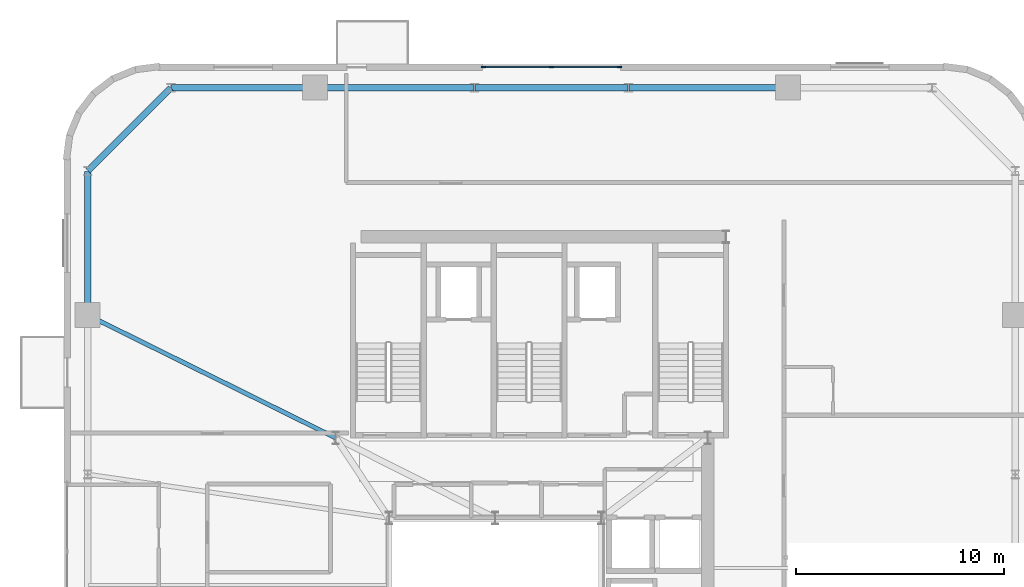
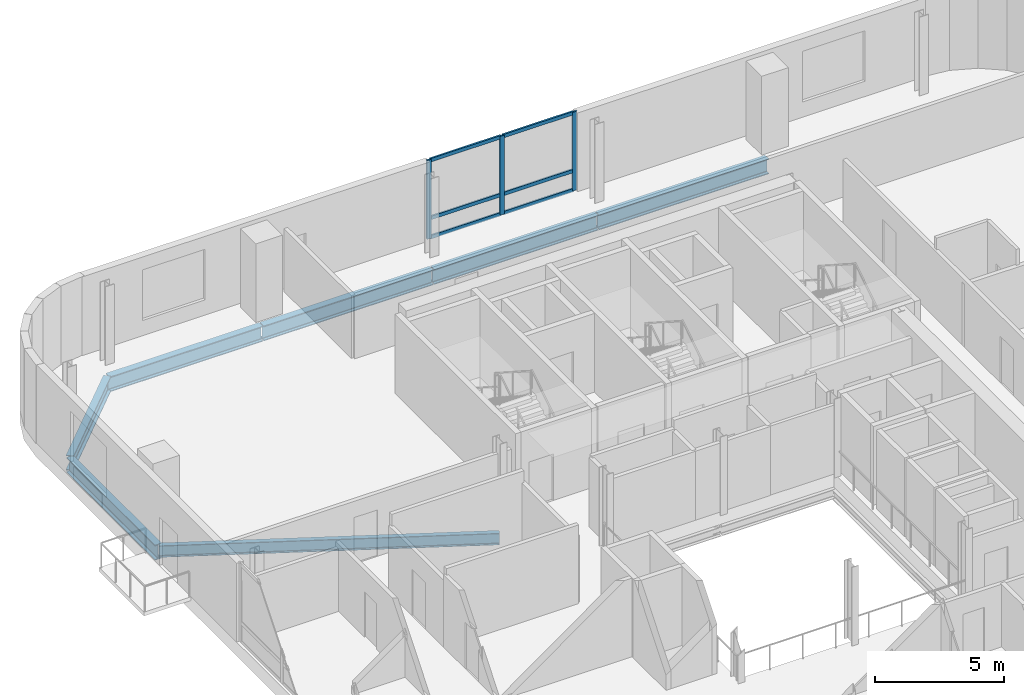
# One storey, part 6 of 15: 9 members, 7 beams, 1 element without a shape of its own.
"""IFC4 building model written with IfcOpenShell, lengths in metres."""

from ifc_helpers import new_model, si_unit, direction, frame, origin, origin_2d, place, context, subcontext, project, spatial, rectangle, i_section, extrude, source, transform, mapped, material, material_profile, profile_set, type_object, element, aggregate, save


model = new_model("IFC4")

# Units and contexts
model_context = context("Model", 3, precision=1e-05, world=origin(), true_north=direction((0.0, 1.0)))
body_context = subcontext(model_context, "Body", "Model", "MODEL_VIEW")
ifc_project = project(units=[si_unit("LENGTHUNIT", "METRE"), si_unit("AREAUNIT", "SQUARE_METRE"), si_unit("VOLUMEUNIT", "CUBIC_METRE"), si_unit("PLANEANGLEUNIT", "RADIAN"), si_unit("MASSUNIT", "GRAM", prefix="KILO")], contexts=[model_context])

# Site, building, storey
site_placement = place(None, origin())
site = spatial("IfcSite", under=ifc_project, at=site_placement, CompositionType="ELEMENT")
building_placement = place(site_placement, origin())
building = spatial("IfcBuilding", under=site, at=building_placement, Name="Vardaveli Station Tower", CompositionType="ELEMENT")
storey_placement = place(building_placement, frame((0.0, 0.0, 242.699951171875)))
storey = spatial("IfcBuildingStorey", under=building, at=storey_placement, Name="L62", CompositionType="ELEMENT", Elevation=242.699951171875)

# Beams
ifc_material_1 = material(Name="Structural steel S460M", Category="steel")
ifc_material_profile_1 = material_profile(ifc_material_1, i_section(OverallWidth=0.303955078125, OverallDepth=0.716064453125, WebThickness=0.02099609375, FlangeThickness=0.0400390625, FilletRadius=0.027099609375, at=origin_2d()), Name="HEM 700")
ifc_profile_set_1 = profile_set([ifc_material_profile_1], Name="Structural steel S460M")
beam_type_1 = type_object("IfcBeamType", Name="BM-HEM700", PredefinedType="BEAM", material=ifc_profile_set_1)
shared_shape_1 = source(origin(), body_context, "Body", "SweptSolid", [
    extrude(i_section(OverallWidth=0.303955078125, OverallDepth=0.716064453125, WebThickness=0.02099609375, FlangeThickness=0.0400390625, FilletRadius=0.027099609375, at=origin_2d()), origin(), (0.0, 0.0, 1.0), 7.60009765625),
])
for number, where, z_axis, x_axis, name in (
    (1, (50.320068359375, 47.449951171875, -1.008056640625), (-1.0, 0.0, 0.0), (0.0, -1.0, 0.0), "RBM-L62-13"),
    (2, (35.280029296875, 47.449951171875, -1.008056640625), (-1.0, 0.0, 0.0), (0.0, -1.0, 0.0), "RBM-L62-15"),
):
    element("IfcBeam", number, at=place(storey_placement, frame(where, z_axis=z_axis, x_axis=x_axis)), inside=storey, type_object=beam_type_1, Name=name, PredefinedType="BEAM", context=body_context, shape_type="MappedRepresentation", body=[
        mapped(shared_shape_1, transform((0.0, 0.0, 0.0), scale=1.0)),
    ])
shared_shape_2 = source(origin(), body_context, "Body", "SweptSolid", [
    extrude(i_section(OverallWidth=0.303955078125, OverallDepth=0.716064453125, WebThickness=0.02099609375, FlangeThickness=0.0400390625, FilletRadius=0.027099609375, at=origin_2d()), origin(), (0.0, 0.0, 1.0), 7.35986328125),
])
beam_1_placement = place(storey_placement, frame((42.679931640625, 47.449951171875, -1.008056640625), z_axis=(-1.0, 0.0, 0.0), x_axis=(0.0, -1.0, 0.0)))
element("IfcBeam", 3, at=beam_1_placement, inside=storey, type_object=beam_type_1, Name="RBM-L62-14", PredefinedType="BEAM", context=body_context, shape_type="MappedRepresentation", body=[
    mapped(shared_shape_2, transform((0.0, 0.0, 0.0), scale=1.0)),
])
shared_shape_3 = source(origin(), body_context, "Body", "SweptSolid", [
    extrude(i_section(OverallWidth=0.303955078125, OverallDepth=0.716064453125, WebThickness=0.02099609375, FlangeThickness=0.0400390625, FilletRadius=0.027099609375, at=origin_2d()), origin(), (0.0, 0.0, 1.0), 6.869873046875),
])
for number, where, z_axis, x_axis, name in (
    (4, (27.639892578125, 47.449951171875, -1.008056640625), (-1.0, 0.0, 0.0), (0.0, -1.0, 0.0), "RBM-L62-16"),
    (5, (16.75, 43.429931640625, -1.008056640625), (0.0, -1.0, 0.0), (1.0, 0.0, 0.0), "RBM-L62-18"),
):
    element("IfcBeam", number, at=place(storey_placement, frame(where, z_axis=z_axis, x_axis=x_axis)), inside=storey, type_object=beam_type_1, Name=name, PredefinedType="BEAM", context=body_context, shape_type="MappedRepresentation", body=[
        mapped(shared_shape_3, transform((0.0, 0.0, 0.0), scale=1.0)),
    ])
shared_shape_4 = source(origin(), body_context, "Body", "SweptSolid", [
    extrude(i_section(OverallWidth=0.303955078125, OverallDepth=0.716064453125, WebThickness=0.02099609375, FlangeThickness=0.0400390625, FilletRadius=0.027099609375, at=origin_2d()), origin(), (0.0, 0.0, 1.0), 5.61669921875),
])
beam_2_placement = place(storey_placement, frame((20.73583984375, 47.435791015625, -1.008056640625), z_axis=(-0.707106781187, -0.707106781187, 0.0), x_axis=(0.707106781187, -0.707106781187, 0.0)))
element("IfcBeam", 6, at=beam_2_placement, inside=storey, type_object=beam_type_1, Name="RBM-L62-17", PredefinedType="BEAM", context=body_context, shape_type="MappedRepresentation", body=[
    mapped(shared_shape_4, transform((0.0, 0.0, 0.0), scale=1.0)),
])
ifc_material_2 = material(Name="Structural steel S355J2", Category="steel")
ifc_material_profile_2 = material_profile(ifc_material_2, i_section(OverallWidth=0.2099609375, OverallDepth=0.550048828125, WebThickness=0.010986328125, FlangeThickness=0.01708984375, FilletRadius=0.02392578125, at=origin_2d()), Name="IPE 550")
ifc_profile_set_2 = profile_set([ifc_material_profile_2], Name="Structural steel S355J2")
beam_type_2 = type_object("IfcBeamType", Name="BM-IPE550", PredefinedType="BEAM", material=ifc_profile_set_2)
shared_shape_5 = source(origin(), body_context, "Body", "SweptSolid", [
    extrude(i_section(OverallWidth=0.2099609375, OverallDepth=0.550048828125, WebThickness=0.010986328125, FlangeThickness=0.01708984375, FilletRadius=0.02392578125, at=origin_2d()), origin(), (0.0, 0.0, 1.0), 13.238037109375),
])
beam_3_placement = place(storey_placement, frame((16.767822265625, 36.53125, -0.925048828125), z_axis=(0.896227242725, -0.443595231486, 0.0), x_axis=(0.443595231486, 0.896227242725, 0.0)))
element("IfcBeam", 7, at=beam_3_placement, inside=storey, type_object=beam_type_2, Name="GBM-L62-12", PredefinedType="BEAM", context=body_context, shape_type="MappedRepresentation", body=[
    mapped(shared_shape_5, transform((0.0, 0.0, 0.0), scale=1.0)),
])

# Curtain wall, members
ifc_material_3 = material(Name="Travertine stone and solar-control glass", Category="masonry")
curtain_wall_type = type_object("IfcCurtainWallType", Name="CW-SYS-5", PredefinedType="NOTDEFINED", material=ifc_material_3)
curtain_wall_placement = place(storey_placement, origin())
curtain_wall = element("IfcCurtainWall", 8, at=curtain_wall_placement, inside=storey, type_object=curtain_wall_type, Name="CW-L62-N", PredefinedType="NOTDEFINED")
ifc_material_4 = material(Name="Anodised aluminium alloy 6063-T6", Category="aluminium")
ifc_material_profile_3 = material_profile(ifc_material_4, rectangle(XDim=0.080078125, YDim=0.1650390625, at=origin_2d()), Name="CWT 80x165")
ifc_profile_set_3 = profile_set([ifc_material_profile_3], Name="Anodised aluminium alloy 6063-T6")
member_type_1 = type_object("IfcMemberType", Name="CW-SYS-5-TRAN", PredefinedType="NOTDEFINED", material=ifc_profile_set_3)
shared_shape_6 = source(origin(), body_context, "Body", "SweptSolid", [
    extrude(rectangle(XDim=0.080078125, YDim=0.1650390625, at=origin_2d()), origin(), (0.0, 0.0, 1.0), 3.179931640625),
])
member_1_placement = place(storey_placement, frame((42.219970703125, 48.43994140625, 0.0400390625), z_axis=(-1.0, 0.0, 0.0), x_axis=(0.0, -1.0, 0.0)))
member_1 = element("IfcMember", 9, at=member_1_placement, type_object=member_type_1, Name="CW-5 transom 1.1", ObjectType="TRANSOM", PredefinedType="USERDEFINED", context=body_context, shape_type="MappedRepresentation", body=[
    mapped(shared_shape_6, transform((0.0, 0.0, 0.0), scale=1.0)),
])
member_2_placement = place(storey_placement, frame((42.219970703125, 48.43994140625, 0.949951171875), z_axis=(-1.0, 0.0, 0.0), x_axis=(0.0, -1.0, 0.0)))
member_2 = element("IfcMember", 10, at=member_2_placement, type_object=member_type_1, Name="CW-5 transom 1.2", ObjectType="TRANSOM", PredefinedType="USERDEFINED", context=body_context, shape_type="MappedRepresentation", body=[
    mapped(shared_shape_6, transform((0.0, 0.0, 0.0), scale=1.0)),
])
member_3_placement = place(storey_placement, frame((42.219970703125, 48.43994140625, 3.68994140625), z_axis=(-1.0, 0.0, 0.0), x_axis=(0.0, -1.0, 0.0)))
member_3 = element("IfcMember", 11, at=member_3_placement, type_object=member_type_1, Name="CW-5 transom 1.3", ObjectType="TRANSOM", PredefinedType="USERDEFINED", context=body_context, shape_type="MappedRepresentation", body=[
    mapped(shared_shape_6, transform((0.0, 0.0, 0.0), scale=1.0)),
])
member_4_placement = place(storey_placement, frame((38.9599609375, 48.43994140625, 0.0400390625), z_axis=(-1.0, 0.0, 0.0), x_axis=(0.0, -1.0, 0.0)))
member_4 = element("IfcMember", 12, at=member_4_placement, type_object=member_type_1, Name="CW-5 transom 2.1", ObjectType="TRANSOM", PredefinedType="USERDEFINED", context=body_context, shape_type="MappedRepresentation", body=[
    mapped(shared_shape_6, transform((0.0, 0.0, 0.0), scale=1.0)),
])
member_5_placement = place(storey_placement, frame((38.9599609375, 48.43994140625, 0.949951171875), z_axis=(-1.0, 0.0, 0.0), x_axis=(0.0, -1.0, 0.0)))
member_5 = element("IfcMember", 13, at=member_5_placement, type_object=member_type_1, Name="CW-5 transom 2.2", ObjectType="TRANSOM", PredefinedType="USERDEFINED", context=body_context, shape_type="MappedRepresentation", body=[
    mapped(shared_shape_6, transform((0.0, 0.0, 0.0), scale=1.0)),
])
member_6_placement = place(storey_placement, frame((38.9599609375, 48.43994140625, 3.68994140625), z_axis=(-1.0, 0.0, 0.0), x_axis=(0.0, -1.0, 0.0)))
member_6 = element("IfcMember", 14, at=member_6_placement, type_object=member_type_1, Name="CW-5 transom 2.3", ObjectType="TRANSOM", PredefinedType="USERDEFINED", context=body_context, shape_type="MappedRepresentation", body=[
    mapped(shared_shape_6, transform((0.0, 0.0, 0.0), scale=1.0)),
])
ifc_material_profile_4 = material_profile(ifc_material_4, rectangle(XDim=0.080078125, YDim=0.205078125, at=origin_2d()), Name="CWM 80x205")
ifc_profile_set_4 = profile_set([ifc_material_profile_4], Name="Anodised aluminium alloy 6063-T6")
member_type_2 = type_object("IfcMemberType", Name="CW-SYS-5-MULL", PredefinedType="MULLION", material=ifc_profile_set_4)
shared_shape_7 = source(origin(), body_context, "Body", "SweptSolid", [
    extrude(rectangle(XDim=0.080078125, YDim=0.205078125, at=origin_2d()), origin(), (0.0, 0.0, 1.0), 3.72998046875),
])
member_7_placement = place(storey_placement, frame((42.260009765625, 48.43994140625, 0.0), z_axis=(0.0, 0.0, 1.0), x_axis=(0.0, -1.0, 0.0)))
member_7 = element("IfcMember", 15, at=member_7_placement, type_object=member_type_2, Name="CW-5 mullion 1", PredefinedType="MULLION", context=body_context, shape_type="MappedRepresentation", body=[
    mapped(shared_shape_7, transform((0.0, 0.0, 0.0), scale=1.0)),
])
member_8_placement = place(storey_placement, frame((39.0, 48.43994140625, 0.0), z_axis=(0.0, 0.0, 1.0), x_axis=(0.0, -1.0, 0.0)))
member_8 = element("IfcMember", 16, at=member_8_placement, type_object=member_type_2, Name="CW-5 mullion 2", PredefinedType="MULLION", context=body_context, shape_type="MappedRepresentation", body=[
    mapped(shared_shape_7, transform((0.0, 0.0, 0.0), scale=1.0)),
])
member_9_placement = place(storey_placement, frame((35.739990234375, 48.43994140625, 0.0), z_axis=(0.0, 0.0, 1.0), x_axis=(0.0, -1.0, 0.0)))
member_9 = element("IfcMember", 17, at=member_9_placement, type_object=member_type_2, Name="CW-5 mullion 3", PredefinedType="MULLION", context=body_context, shape_type="MappedRepresentation", body=[
    mapped(shared_shape_7, transform((0.0, 0.0, 0.0), scale=1.0)),
])
aggregate(curtain_wall, [member_7, member_8, member_9, member_1, member_2, member_3, member_4, member_5, member_6])

save(model, "model.ifc")
